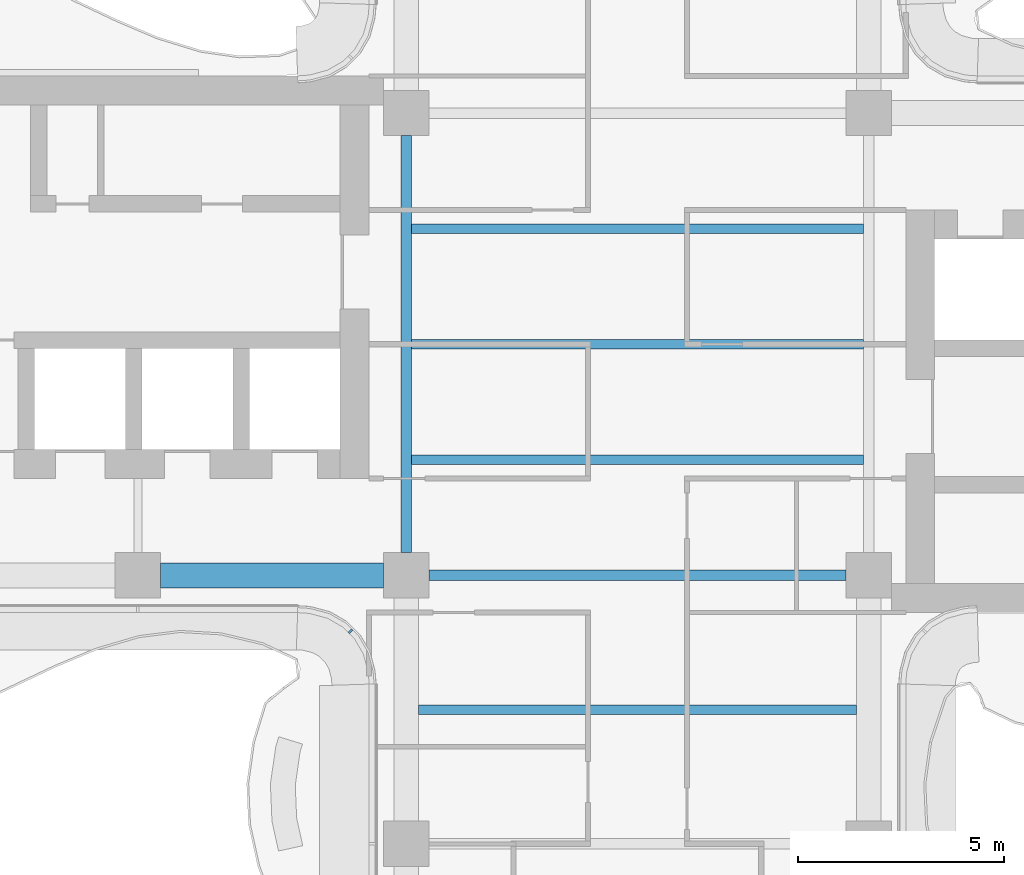
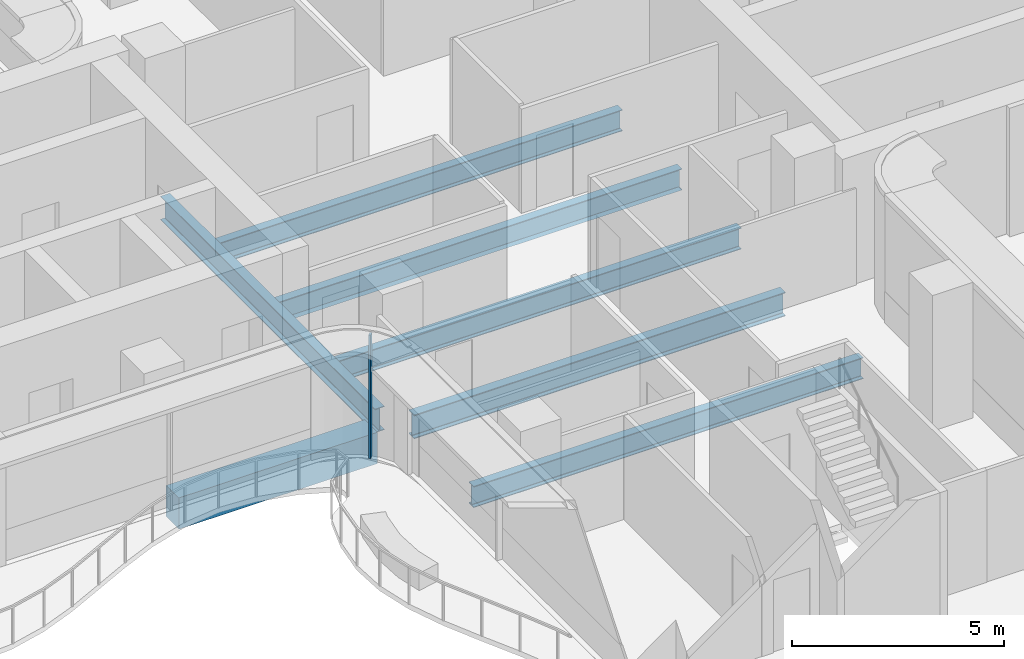
# One storey, part 4 of 19: 7 beams, 1 member, 1 element without a shape of its own.
"""IFC4 building model written with IfcOpenShell, lengths in metres."""

from ifc_helpers import new_model, si_unit, direction, frame, origin, origin_2d, place, context, subcontext, project, spatial, rectangle, i_section, extrude, source, transform, mapped, material, layer, layer_set, material_profile, profile_set, type_object, element, aggregate, save


model = new_model("IFC4")

# Units and contexts
model_context = context("Model", 3, precision=1e-05, world=origin(), true_north=direction((0.0, 1.0)))
body_context = subcontext(model_context, "Body", "Model", "MODEL_VIEW")
ifc_project = project(units=[si_unit("LENGTHUNIT", "METRE"), si_unit("AREAUNIT", "SQUARE_METRE"), si_unit("VOLUMEUNIT", "CUBIC_METRE"), si_unit("PLANEANGLEUNIT", "RADIAN"), si_unit("MASSUNIT", "GRAM", prefix="KILO")], contexts=[model_context])

# Site, building, storey
site_placement = place(None, origin())
site = spatial("IfcSite", under=ifc_project, at=site_placement, CompositionType="ELEMENT")
building_placement = place(site_placement, origin())
building = spatial("IfcBuilding", under=site, at=building_placement, Name="Trellis Farm Tower", CompositionType="ELEMENT")
storey_placement = place(building_placement, frame((0.0, 0.0, 228.5)))
storey = spatial("IfcBuildingStorey", under=building, at=storey_placement, Name="L50", CompositionType="ELEMENT", Elevation=228.5)

# Beams
ifc_material_1 = material(Name="Steel S355", Category="steel")
ifc_material_profile_1 = material_profile(ifc_material_1, i_section(OverallWidth=0.22900390625, OverallDepth=0.6123046875, WebThickness=0.011962890625, FlangeThickness=0.01953125, FilletRadius=0.0126953125, at=origin_2d()), Name="UB 610x229x125")
ifc_profile_set_1 = profile_set([ifc_material_profile_1], Name="Steel S355")
beam_type_1 = type_object("IfcBeamType", Name="UB 610x229x125 joist", PredefinedType="JOIST", material=ifc_profile_set_1)
shared_shape_1 = source(origin(), body_context, "Body", "SweptSolid", [
    extrude(i_section(OverallWidth=0.22900390625, OverallDepth=0.6123046875, WebThickness=0.011962890625, FlangeThickness=0.01953125, FilletRadius=0.0126953125, at=origin_2d()), origin(), (0.0, 0.0, 1.0), 10.9462890625),
])
for number, where, z_axis, x_axis, name in (
    (1, (-5.47314453125, -2.800048828125, -0.506103515625), (1.0, 0.0, 0.0), (0.0, 1.0, 0.0), "Floor beam"),
    (2, (-5.47314453125, 0.0, -0.506103515625), (1.0, 0.0, 0.0), (0.0, 1.0, 0.0), "Floor beam"),
    (3, (-5.47314453125, 2.800048828125, -0.506103515625), (1.0, 0.0, 0.0), (0.0, 1.0, 0.0), "Floor beam"),
):
    element("IfcBeam", number, at=place(storey_placement, frame(where, z_axis=z_axis, x_axis=x_axis)), inside=storey, type_object=beam_type_1, Name=name, PredefinedType="JOIST", context=body_context, shape_type="MappedRepresentation", body=[
        mapped(shared_shape_1, transform((0.0, 0.0, 0.0))),
    ])
shared_shape_2 = source(origin(), body_context, "Body", "SweptSolid", [
    extrude(i_section(OverallWidth=0.22900390625, OverallDepth=0.6123046875, WebThickness=0.011962890625, FlangeThickness=0.01953125, FilletRadius=0.0126953125, at=origin_2d()), origin(), (0.0, 0.0, 1.0), 10.60009765625),
])
beam_1_placement = place(storey_placement, frame((-5.300048828125, -8.85009765625, -0.506103515625), z_axis=(1.0, 0.0, 0.0), x_axis=(0.0, 1.0, 0.0)))
element("IfcBeam", 4, at=beam_1_placement, inside=storey, type_object=beam_type_1, Name="Floor beam", PredefinedType="JOIST", context=body_context, shape_type="MappedRepresentation", body=[
    mapped(shared_shape_2, transform((0.0, 0.0, 0.0))),
])
ifc_material_profile_2 = material_profile(ifc_material_1, i_section(OverallWidth=0.253662109375, OverallDepth=0.68359375, WebThickness=0.012451171875, FlangeThickness=0.021728515625, FilletRadius=0.01513671875, at=origin_2d()), Name="UB 686x254x140")
ifc_profile_set_2 = profile_set([ifc_material_profile_2], Name="Steel S355")
beam_type_2 = type_object("IfcBeamType", Name="UB 686x254x140", PredefinedType="BEAM", material=ifc_profile_set_2)
shared_shape_3 = source(origin(), body_context, "Body", "SweptSolid", [
    extrude(i_section(OverallWidth=0.253662109375, OverallDepth=0.68359375, WebThickness=0.012451171875, FlangeThickness=0.021728515625, FilletRadius=0.01513671875, at=origin_2d()), origin(), (0.0, 0.0, 1.0), 10.10009765625),
])
for number, where, z_axis, x_axis, name in (
    (5, (-5.050048828125, -5.60009765625, -0.541748046875), (1.0, 0.0, 0.0), (0.0, 1.0, 0.0), "Girder"),
    (6, (-5.60009765625, -5.050048828125, -0.541748046875), (0.0, 1.0, 0.0), (-1.0, 0.0, 0.0), "Girder"),
):
    element("IfcBeam", number, at=place(storey_placement, frame(where, z_axis=z_axis, x_axis=x_axis)), inside=storey, type_object=beam_type_2, Name=name, PredefinedType="BEAM", context=body_context, shape_type="MappedRepresentation", body=[
        mapped(shared_shape_3, transform((0.0, 0.0, 0.0))),
    ])
ifc_material_2 = material(Name="Concrete C60/75", Category="concrete")
ifc_material_profile_3 = material_profile(ifc_material_2, rectangle(XDim=0.60009765625, YDim=0.89990234375, at=origin_2d()), Name="RC spandrel beam 600x900 C60/75")
ifc_profile_set_3 = profile_set([ifc_material_profile_3], Name="Concrete C60/75")
beam_type_3 = type_object("IfcBeamType", Name="RC spandrel beam 600x900 C60/75", PredefinedType="SPANDREL", material=ifc_profile_set_3)
shared_shape_4 = source(origin(), body_context, "Body", "SweptSolid", [
    extrude(rectangle(XDim=0.60009765625, YDim=0.89990234375, at=origin_2d()), origin(), (0.0, 0.0, 1.0), 5.400146484375),
])
beam_2_placement = place(storey_placement, frame((-11.550048828125, -5.60009765625, -0.64990234375), z_axis=(1.0, 0.0, 0.0), x_axis=(0.0, 1.0, 0.0)))
element("IfcBeam", 7, at=beam_2_placement, inside=storey, type_object=beam_type_3, Name="Girder", PredefinedType="SPANDREL", context=body_context, shape_type="MappedRepresentation", body=[
    mapped(shared_shape_4, transform((0.0, 0.0, 0.0))),
])

# Curtain wall, member
ifc_material_3 = material(Name="Aluminium and glass curtain wall", Category="aluminium")
ifc_layer = layer(ifc_material_3, 0.166015625)
ifc_layer_set = layer_set([ifc_layer], Name="WINTER GARDEN CURTAIN WALL CW3")
curtain_wall_type = type_object("IfcCurtainWallType", Name="WINTER GARDEN CURTAIN WALL CW3", PredefinedType="NOTDEFINED", material=ifc_layer_set)
curtain_wall_placement = place(storey_placement, origin())
curtain_wall = element("IfcCurtainWall", 8, at=curtain_wall_placement, inside=storey, type_object=curtain_wall_type, Name="CW3 001", PredefinedType="NOTDEFINED")
ifc_material_4 = material(Name="Aluminium extrusion 6063-T6", Category="aluminium")
ifc_material_profile_4 = material_profile(ifc_material_4, rectangle(XDim=0.050048828125, YDim=0.1201171875, at=origin_2d()), Name="MULLION 50x120")
ifc_profile_set_4 = profile_set([ifc_material_profile_4], Name="Aluminium extrusion 6063-T6")
member_type = type_object("IfcMemberType", Name="CW3 MULLION 50x120", PredefinedType="MULLION", material=ifc_profile_set_4)
shared_shape_5 = source(origin(), body_context, "Body", "SweptSolid", [
    extrude(rectangle(XDim=0.050048828125, YDim=0.1201171875, at=origin_2d()), origin(), (0.0, 0.0, 1.0), 3.550048828125),
])
member_placement = place(storey_placement, frame((-6.953125, -6.953125, 0.0), z_axis=(0.0, 0.0, 1.0), x_axis=(0.707106781187, -0.707106781187, 0.0)))
member = element("IfcMember", 9, at=member_placement, type_object=member_type, Name="MU3 001-01", PredefinedType="MULLION", context=body_context, shape_type="MappedRepresentation", body=[
    mapped(shared_shape_5, transform((0.0, 0.0, 0.0))),
])
aggregate(curtain_wall, [member])

save(model, "model.ifc")
